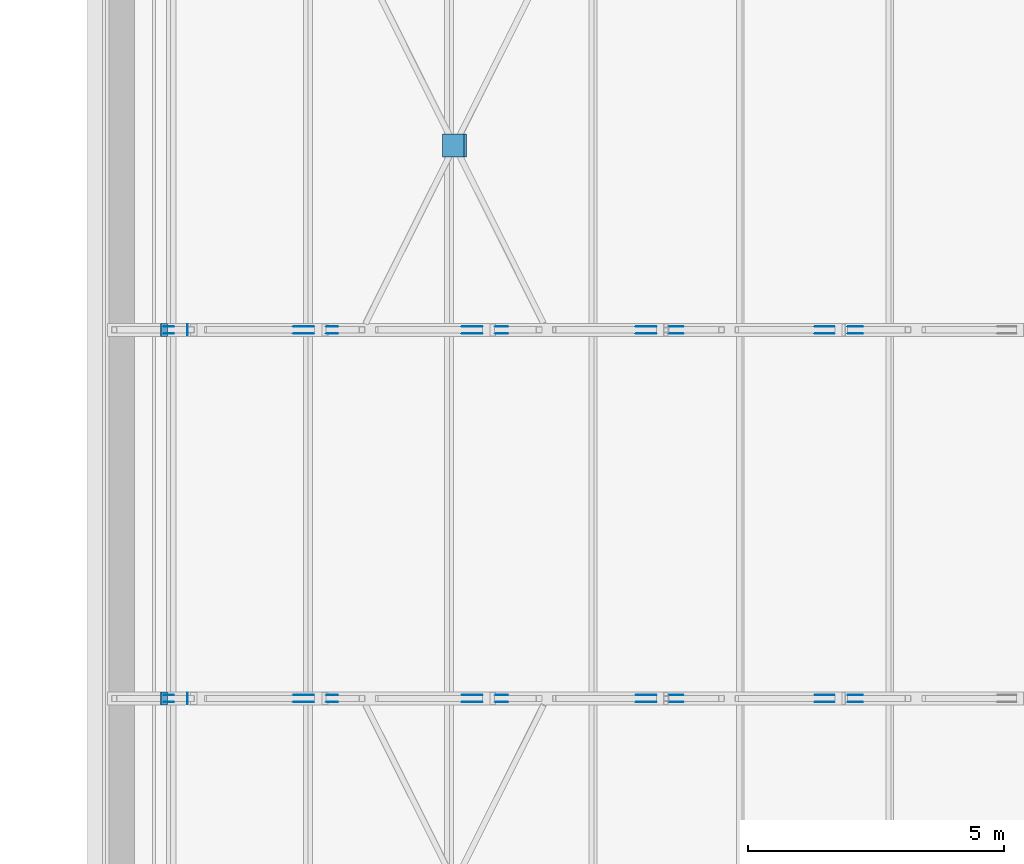
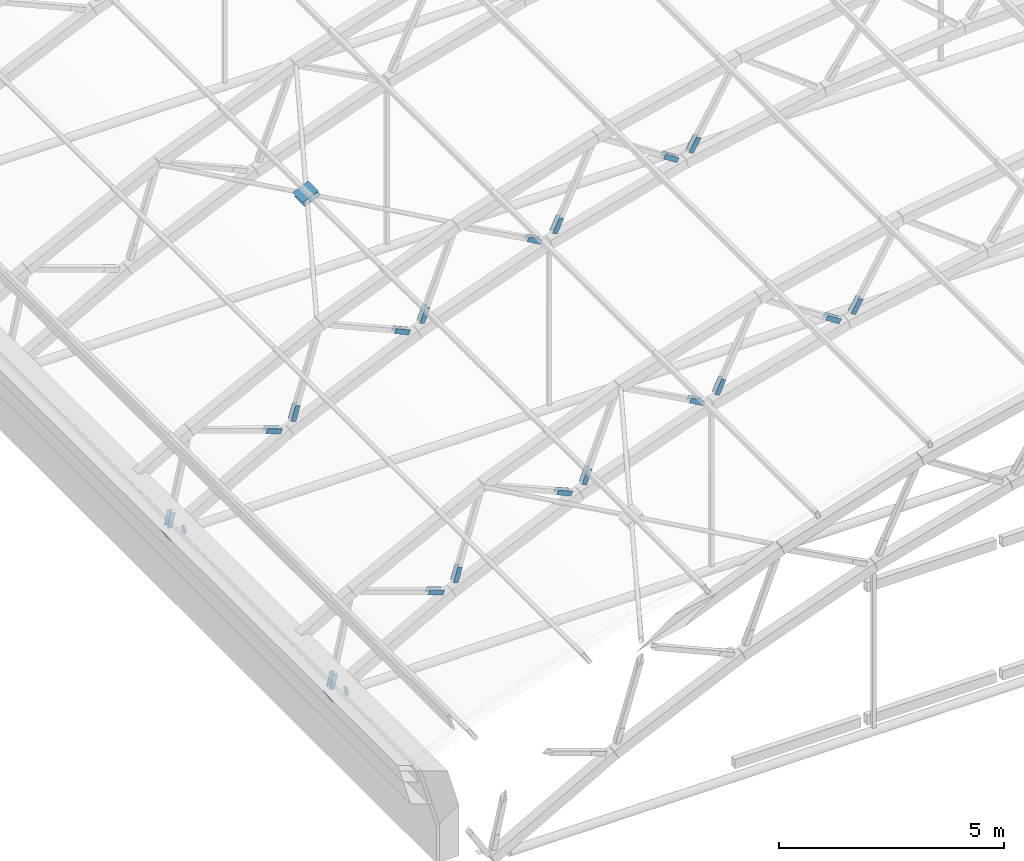
# One storey, part 84 of 127: 42 discrete accessories.
"""IFC4 building model written with IfcOpenShell, lengths in metres."""

from ifc_helpers import new_model, si_unit, direction, frame, origin, origin_2d, place, context, subcontext, project, spatial, rectangle, circle, extrude, material, material_profile, profile_set, type_object, element, save


model = new_model("IFC4")

# Units and contexts
model_context = context("Model", 3, precision=1e-05, world=origin(), true_north=direction((0.0, 1.0)))
body_context = subcontext(model_context, "Body", "Model", "MODEL_VIEW")
ifc_project = project(units=[si_unit("LENGTHUNIT", "METRE"), si_unit("AREAUNIT", "SQUARE_METRE"), si_unit("VOLUMEUNIT", "CUBIC_METRE"), si_unit("PLANEANGLEUNIT", "RADIAN"), si_unit("MASSUNIT", "GRAM", prefix="KILO")], contexts=[model_context])

# Site, building, storey
site_placement = place(None, origin())
site = spatial("IfcSite", under=ifc_project, at=site_placement, CompositionType="ELEMENT")
building_placement = place(site_placement, origin())
building = spatial("IfcBuilding", under=site, at=building_placement, Name="Verrick Yard Athletic Hall", CompositionType="ELEMENT")
storey_placement = place(building_placement, frame((0.0, 0.0, 14.0)))
storey = spatial("IfcBuildingStorey", under=building, at=storey_placement, Name="L03", CompositionType="ELEMENT", Elevation=14.0)

# Discrete accessories
ifc_material = material(Name="Structural steel 350W (CSA G40.21)", Category="steel")
ifc_material_profile_1 = material_profile(ifc_material, rectangle(XDim=0.39990234375, YDim=0.126953125, at=origin_2d()), Name="Brace end cheek plate")
ifc_profile_set_1 = profile_set([ifc_material_profile_1], Name="Structural steel 350W (CSA G40.21)")
discrete_accessory_type_1 = type_object("IfcDiscreteAccessoryType", Name="Brace end cheek plate 400x127x12", PredefinedType="BRACKET", material=ifc_profile_set_1)
for number, where, z_axis, x_axis, name in (
    (1, (28.091064453125, 79.263427734375, 0.416015625), (0.0, 1.0, 0.0), (0.213605450371, 0.0, 0.976920012883), "Truss web end plate TB2-1 1"),
    (2, (28.091064453125, 79.136474609375, 0.416015625), (0.0, -1.0, 0.0), (0.213605450371, 0.0, 0.976920012883), "Truss web end plate TB2-1 2"),
    (3, (30.72412109375, 79.136474609375, 1.907470703125), (0.0, -1.0, 0.0), (-0.944025603302, 0.0, 0.32987218784), "Truss web end plate TB2-2 1"),
    (4, (30.72412109375, 79.263427734375, 1.907470703125), (0.0, 1.0, 0.0), (-0.944025603302, 0.0, 0.32987218784), "Truss web end plate TB2-2 2"),
    (5, (31.277587890625, 79.263427734375, 2.18896484375), (0.0, 1.0, 0.0), (0.289473335175, 0.0, 0.95718607816), "Truss web end plate TB2-3 1"),
    (6, (31.277587890625, 79.136474609375, 2.18896484375), (0.0, -1.0, 0.0), (0.289473335175, 0.0, 0.95718607816), "Truss web end plate TB2-3 2"),
    (7, (34.012939453125, 79.136474609375, 3.447509765625), (0.0, -1.0, 0.0), (-0.915285173692, 0.0, 0.402806468194), "Truss web end plate TB2-4 1"),
    (8, (34.012939453125, 79.263427734375, 3.447509765625), (0.0, 1.0, 0.0), (-0.915285173692, 0.0, 0.402806468194), "Truss web end plate TB2-4 2"),
    (9, (34.586669921875, 79.263427734375, 3.684814453125), (0.0, 1.0, 0.0), (0.363562561074, 0.0, 0.931569784925), "Truss web end plate TB2-5 1"),
    (10, (34.586669921875, 79.136474609375, 3.684814453125), (0.0, -1.0, 0.0), (0.363562561074, 0.0, 0.931569784925), "Truss web end plate TB2-5 2"),
    (11, (37.412109375, 79.136474609375, 4.725341796875), (0.0, -1.0, 0.0), (-0.880919955637, 0.0, 0.473265286876), "Truss web end plate TB2-6 1"),
    (12, (37.412109375, 79.263427734375, 4.725341796875), (0.0, 1.0, 0.0), (-0.880919955637, 0.0, 0.473265286876), "Truss web end plate TB2-6 2"),
    (13, (38.0029296875, 79.263427734375, 4.9169921875), (0.0, 1.0, 0.0), (0.435417263932, 0.0, 0.90022875219), "Truss web end plate TB2-7 1"),
    (14, (38.0029296875, 79.136474609375, 4.9169921875), (0.0, -1.0, 0.0), (0.435417263932, 0.0, 0.90022875219), "Truss web end plate TB2-7 2"),
    (15, (40.901123046875, 79.136474609375, 5.73291015625), (0.0, -1.0, 0.0), (-0.841141186405, 0.0, 0.540815591984), "Truss web end plate TB2-8 1"),
    (16, (40.901123046875, 79.263427734375, 5.73291015625), (0.0, 1.0, 0.0), (-0.841141186405, 0.0, 0.540815591984), "Truss web end plate TB2-8 2"),
    (17, (41.505126953125, 79.263427734375, 5.877685546875), (0.0, 1.0, 0.0), (0.504596608522, 0.0, 0.863355235502), "Truss web end plate TB2-9 1"),
    (18, (41.505126953125, 79.136474609375, 5.877685546875), (0.0, -1.0, 0.0), (0.504596608522, 0.0, 0.863355235502), "Truss web end plate TB2-9 2"),
):
    element("IfcDiscreteAccessory", number, at=place(storey_placement, frame(where, z_axis=z_axis, x_axis=x_axis)), inside=storey, type_object=discrete_accessory_type_1, Name=name, PredefinedType="BRACKET", context=body_context, shape_type="SweptSolid", body=[
        extrude(rectangle(XDim=0.39990234375, YDim=0.126953125, at=origin_2d()), origin(), (0.0, 0.0, 1.0), 0.011962890625),
    ])
discrete_accessory_1_placement = place(storey_placement, frame((28.091064453125, 86.46337890625, 0.416015625), z_axis=(0.0, 1.0, 0.0), x_axis=(0.213605450371, 0.0, 0.976920012883)))
element("IfcDiscreteAccessory", 19, at=discrete_accessory_1_placement, inside=storey, type_object=discrete_accessory_type_1, Name="Truss web end plate TB3-1 1", PredefinedType="BRACKET", context=body_context, shape_type="SweptSolid", body=[
    extrude(rectangle(XDim=0.39990234375, YDim=0.126953125, at=origin_2d()), origin(), (0.0, 0.0, 1.0), 0.01220703125),
])
for number, where, z_axis, x_axis, name in (
    (20, (28.091064453125, 86.33642578125, 0.416015625), (0.0, -1.0, 0.0), (0.213605450371, 0.0, 0.976920012883), "Truss web end plate TB3-1 2"),
    (21, (30.72412109375, 86.33642578125, 1.907470703125), (0.0, -1.0, 0.0), (-0.944025603302, 0.0, 0.32987218784), "Truss web end plate TB3-2 1"),
):
    element("IfcDiscreteAccessory", number, at=place(storey_placement, frame(where, z_axis=z_axis, x_axis=x_axis)), inside=storey, type_object=discrete_accessory_type_1, Name=name, PredefinedType="BRACKET", context=body_context, shape_type="SweptSolid", body=[
        extrude(rectangle(XDim=0.39990234375, YDim=0.126953125, at=origin_2d()), origin(), (0.0, 0.0, 1.0), 0.011962890625),
    ])
for number, where, z_axis, x_axis, name in (
    (22, (30.72412109375, 86.46337890625, 1.907470703125), (0.0, 1.0, 0.0), (-0.944025603302, 0.0, 0.32987218784), "Truss web end plate TB3-2 2"),
    (23, (31.277587890625, 86.46337890625, 2.18896484375), (0.0, 1.0, 0.0), (0.289473335175, 0.0, 0.95718607816), "Truss web end plate TB3-3 1"),
):
    element("IfcDiscreteAccessory", number, at=place(storey_placement, frame(where, z_axis=z_axis, x_axis=x_axis)), inside=storey, type_object=discrete_accessory_type_1, Name=name, PredefinedType="BRACKET", context=body_context, shape_type="SweptSolid", body=[
        extrude(rectangle(XDim=0.39990234375, YDim=0.126953125, at=origin_2d()), origin(), (0.0, 0.0, 1.0), 0.01220703125),
    ])
for number, where, z_axis, x_axis, name in (
    (24, (31.277587890625, 86.33642578125, 2.18896484375), (0.0, -1.0, 0.0), (0.289473335175, 0.0, 0.95718607816), "Truss web end plate TB3-3 2"),
    (25, (34.012939453125, 86.33642578125, 3.447509765625), (0.0, -1.0, 0.0), (-0.915285173692, 0.0, 0.402806468194), "Truss web end plate TB3-4 1"),
):
    element("IfcDiscreteAccessory", number, at=place(storey_placement, frame(where, z_axis=z_axis, x_axis=x_axis)), inside=storey, type_object=discrete_accessory_type_1, Name=name, PredefinedType="BRACKET", context=body_context, shape_type="SweptSolid", body=[
        extrude(rectangle(XDim=0.39990234375, YDim=0.126953125, at=origin_2d()), origin(), (0.0, 0.0, 1.0), 0.011962890625),
    ])
for number, where, z_axis, x_axis, name in (
    (26, (34.012939453125, 86.46337890625, 3.447509765625), (0.0, 1.0, 0.0), (-0.915285173692, 0.0, 0.402806468194), "Truss web end plate TB3-4 2"),
    (27, (34.586669921875, 86.46337890625, 3.684814453125), (0.0, 1.0, 0.0), (0.363562561074, 0.0, 0.931569784925), "Truss web end plate TB3-5 1"),
):
    element("IfcDiscreteAccessory", number, at=place(storey_placement, frame(where, z_axis=z_axis, x_axis=x_axis)), inside=storey, type_object=discrete_accessory_type_1, Name=name, PredefinedType="BRACKET", context=body_context, shape_type="SweptSolid", body=[
        extrude(rectangle(XDim=0.39990234375, YDim=0.126953125, at=origin_2d()), origin(), (0.0, 0.0, 1.0), 0.01220703125),
    ])
for number, where, z_axis, x_axis, name in (
    (28, (34.586669921875, 86.33642578125, 3.684814453125), (0.0, -1.0, 0.0), (0.363562561074, 0.0, 0.931569784925), "Truss web end plate TB3-5 2"),
    (29, (37.412109375, 86.33642578125, 4.725341796875), (0.0, -1.0, 0.0), (-0.880919955637, 0.0, 0.473265286876), "Truss web end plate TB3-6 1"),
):
    element("IfcDiscreteAccessory", number, at=place(storey_placement, frame(where, z_axis=z_axis, x_axis=x_axis)), inside=storey, type_object=discrete_accessory_type_1, Name=name, PredefinedType="BRACKET", context=body_context, shape_type="SweptSolid", body=[
        extrude(rectangle(XDim=0.39990234375, YDim=0.126953125, at=origin_2d()), origin(), (0.0, 0.0, 1.0), 0.011962890625),
    ])
for number, where, z_axis, x_axis, name in (
    (30, (37.412109375, 86.46337890625, 4.725341796875), (0.0, 1.0, 0.0), (-0.880919955637, 0.0, 0.473265286876), "Truss web end plate TB3-6 2"),
    (31, (38.0029296875, 86.46337890625, 4.9169921875), (0.0, 1.0, 0.0), (0.435417263932, 0.0, 0.90022875219), "Truss web end plate TB3-7 1"),
):
    element("IfcDiscreteAccessory", number, at=place(storey_placement, frame(where, z_axis=z_axis, x_axis=x_axis)), inside=storey, type_object=discrete_accessory_type_1, Name=name, PredefinedType="BRACKET", context=body_context, shape_type="SweptSolid", body=[
        extrude(rectangle(XDim=0.39990234375, YDim=0.126953125, at=origin_2d()), origin(), (0.0, 0.0, 1.0), 0.01220703125),
    ])
for number, where, z_axis, x_axis, name in (
    (32, (38.0029296875, 86.33642578125, 4.9169921875), (0.0, -1.0, 0.0), (0.435417263932, 0.0, 0.90022875219), "Truss web end plate TB3-7 2"),
    (33, (40.901123046875, 86.33642578125, 5.73291015625), (0.0, -1.0, 0.0), (-0.841141186405, 0.0, 0.540815591984), "Truss web end plate TB3-8 1"),
):
    element("IfcDiscreteAccessory", number, at=place(storey_placement, frame(where, z_axis=z_axis, x_axis=x_axis)), inside=storey, type_object=discrete_accessory_type_1, Name=name, PredefinedType="BRACKET", context=body_context, shape_type="SweptSolid", body=[
        extrude(rectangle(XDim=0.39990234375, YDim=0.126953125, at=origin_2d()), origin(), (0.0, 0.0, 1.0), 0.011962890625),
    ])
for number, where, z_axis, x_axis, name in (
    (34, (40.901123046875, 86.46337890625, 5.73291015625), (0.0, 1.0, 0.0), (-0.841141186405, 0.0, 0.540815591984), "Truss web end plate TB3-8 2"),
    (35, (41.505126953125, 86.46337890625, 5.877685546875), (0.0, 1.0, 0.0), (0.504596608522, 0.0, 0.863355235502), "Truss web end plate TB3-9 1"),
):
    element("IfcDiscreteAccessory", number, at=place(storey_placement, frame(where, z_axis=z_axis, x_axis=x_axis)), inside=storey, type_object=discrete_accessory_type_1, Name=name, PredefinedType="BRACKET", context=body_context, shape_type="SweptSolid", body=[
        extrude(rectangle(XDim=0.39990234375, YDim=0.126953125, at=origin_2d()), origin(), (0.0, 0.0, 1.0), 0.01220703125),
    ])
discrete_accessory_2_placement = place(storey_placement, frame((41.505126953125, 86.33642578125, 5.877685546875), z_axis=(0.0, -1.0, 0.0), x_axis=(0.504596608522, 0.0, 0.863355235502)))
element("IfcDiscreteAccessory", 36, at=discrete_accessory_2_placement, inside=storey, type_object=discrete_accessory_type_1, Name="Truss web end plate TB3-9 2", PredefinedType="BRACKET", context=body_context, shape_type="SweptSolid", body=[
    extrude(rectangle(XDim=0.39990234375, YDim=0.126953125, at=origin_2d()), origin(), (0.0, 0.0, 1.0), 0.011962890625),
])
ifc_material_profile_2 = material_profile(ifc_material, rectangle(XDim=0.449951171875, YDim=0.449951171875, at=origin_2d()), Name="Brace node plate")
ifc_profile_set_2 = profile_set([ifc_material_profile_2], Name="Structural steel 350W (CSA G40.21)")
discrete_accessory_type_2 = type_object("IfcDiscreteAccessoryType", Name="Brace node plate 450x450x12", PredefinedType="BRACKET", material=ifc_profile_set_2)
for number, where, z_axis, x_axis, name in (
    (37, (33.6953125, 90.0, 5.028076171875), (0.38897203704, 0.0, -0.921249561411), (0.0, 1.0, 0.0), "Brace node plate B3-1 1"),
    (38, (33.651611328125, 90.0, 5.1337890625), (-0.38897203704, 0.0, 0.921249561411), (0.0, -1.0, 0.0), "Brace node plate B3-1 2"),
):
    element("IfcDiscreteAccessory", number, at=place(storey_placement, frame(where, z_axis=z_axis, x_axis=x_axis)), inside=storey, type_object=discrete_accessory_type_2, Name=name, PredefinedType="BRACKET", context=body_context, shape_type="SweptSolid", body=[
        extrude(rectangle(XDim=0.449951171875, YDim=0.449951171875, at=origin_2d()), origin(), (0.0, 0.0, 1.0), 0.011962890625),
    ])
ifc_material_profile_3 = material_profile(ifc_material, rectangle(XDim=0.25390625, YDim=0.25390625, at=origin_2d()), Name="STR End cap plate 254x254x9.5")
ifc_profile_set_3 = profile_set([ifc_material_profile_3], Name="Structural steel 350W (CSA G40.21)")
discrete_accessory_type_3 = type_object("IfcDiscreteAccessoryType", Name="STR End cap plate 254x254x9.5", PredefinedType="BRACKET", material=ifc_profile_set_3)
for number, where, z_axis, x_axis, name in (
    (39, (27.9912109375, 79.199951171875, -0.0048828125), (0.874157276122, 0.0, 0.485642931179), (0.0, 1.0, 0.0), "End cap Truss TB2 bottom chord 1 A"),
    (40, (27.9912109375, 86.39990234375, -0.0048828125), (0.874157276122, 0.0, 0.485642931179), (0.0, 1.0, 0.0), "End cap Truss TB3 bottom chord 1 A"),
):
    element("IfcDiscreteAccessory", number, at=place(storey_placement, frame(where, z_axis=z_axis, x_axis=x_axis)), inside=storey, type_object=discrete_accessory_type_3, Name=name, PredefinedType="BRACKET", context=body_context, shape_type="SweptSolid", body=[
        extrude(rectangle(XDim=0.25390625, YDim=0.25390625, at=origin_2d()), origin(), (0.0, 0.0, 1.0), 0.010009765625),
    ])
ifc_material_profile_4 = material_profile(ifc_material, circle(Radius=0.109619140625, at=origin_2d()), Name="STR End cap plate 219x13")
ifc_profile_set_4 = profile_set([ifc_material_profile_4], Name="Structural steel 350W (CSA G40.21)")
discrete_accessory_type_4 = type_object("IfcDiscreteAccessoryType", Name="STR End cap plate 219x13", PredefinedType="BRACKET", material=ifc_profile_set_4)
for number, where, z_axis, x_axis, name in (
    (41, (28.4462890625, 79.199951171875, 0.0), (1.0, 0.0, 0.0), (0.0, 1.0, 0.0), "End cap Truss TB2 tie 1 A"),
    (42, (28.4462890625, 86.39990234375, 0.0), (1.0, 0.0, 0.0), (0.0, 1.0, 0.0), "End cap Truss TB3 tie 1 A"),
):
    element("IfcDiscreteAccessory", number, at=place(storey_placement, frame(where, z_axis=z_axis, x_axis=x_axis)), inside=storey, type_object=discrete_accessory_type_4, Name=name, PredefinedType="BRACKET", context=body_context, shape_type="SweptSolid", body=[
        extrude(circle(Radius=0.109619140625, at=origin_2d()), origin(), (0.0, 0.0, 1.0), 0.010009765625),
    ])

save(model, "model.ifc")
